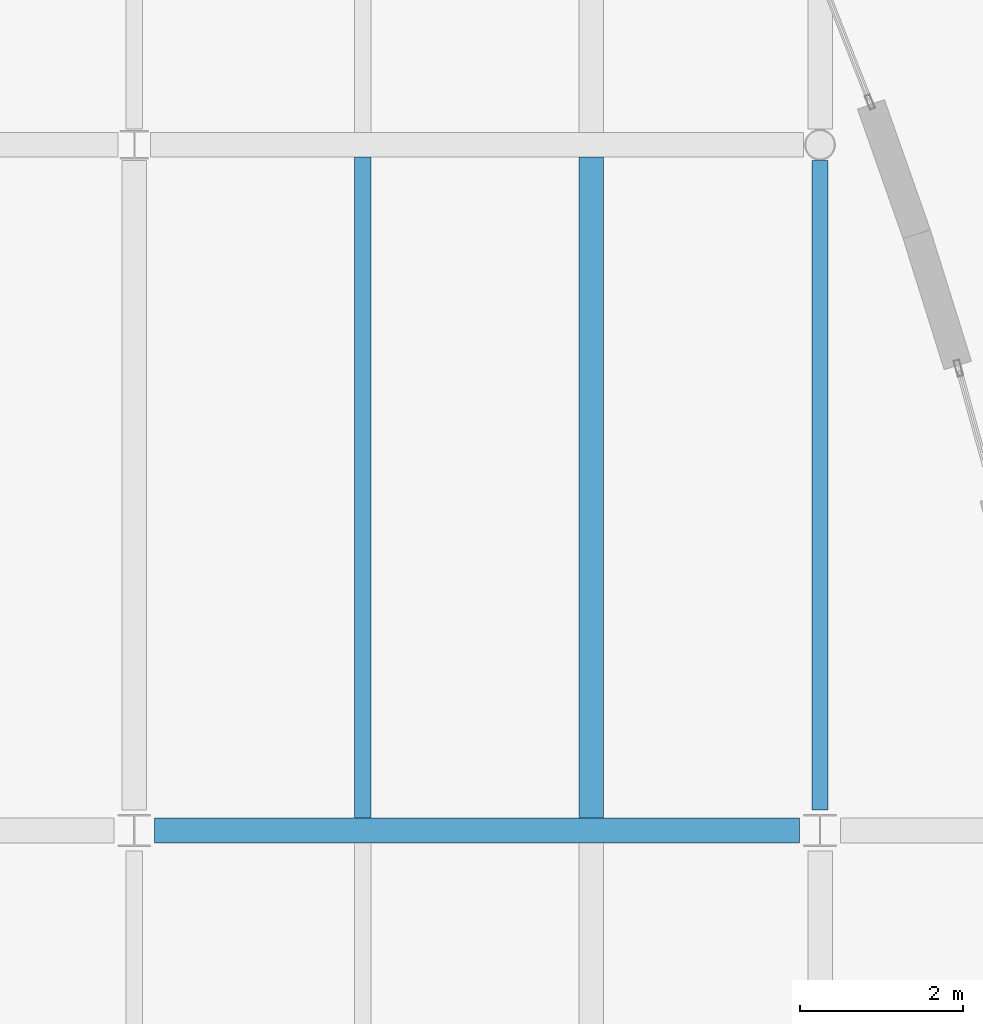
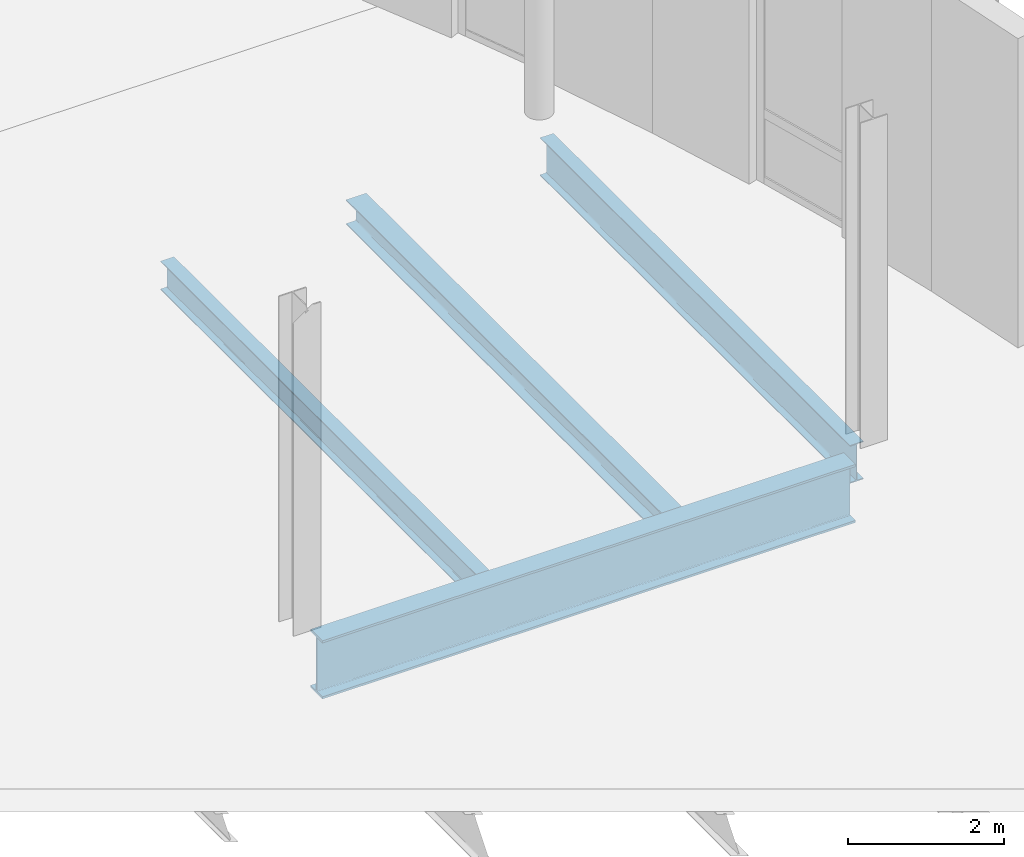
# One storey, part 47 of 103: 4 beams.
"""IFC4 building model written with IfcOpenShell, lengths in metres."""

from ifc_helpers import new_model, si_unit, direction, frame, origin, origin_2d, place, context, subcontext, project, spatial, i_section, extrude, material, material_profile, profile_set, type_object, element, save


model = new_model("IFC4")

# Units and contexts
model_context = context("Model", 3, precision=1e-05, world=origin(), true_north=direction((0.0, 1.0)))
body_context = subcontext(model_context, "Body", "Model", "MODEL_VIEW")
ifc_project = project(units=[si_unit("LENGTHUNIT", "METRE"), si_unit("AREAUNIT", "SQUARE_METRE"), si_unit("VOLUMEUNIT", "CUBIC_METRE"), si_unit("PLANEANGLEUNIT", "RADIAN"), si_unit("MASSUNIT", "GRAM", prefix="KILO"), si_unit("THERMODYNAMICTEMPERATUREUNIT", "KELVIN")], contexts=[model_context])

# Site, building, storey
site_placement = place(None, origin())
site = spatial("IfcSite", under=ifc_project, at=site_placement, CompositionType="ELEMENT")
building_placement = place(site_placement, origin())
building = spatial("IfcBuilding", under=site, at=building_placement, Name="Lustrewick Department Store", CompositionType="ELEMENT")
storey_placement = place(building_placement, frame((0.0, 0.0, 16.5)))
storey = spatial("IfcBuildingStorey", under=building, at=storey_placement, Name="L04", CompositionType="ELEMENT", Elevation=16.5)

# Beams
ifc_material_1 = material(Name="Structural steel Q355B", Category="steel")
ifc_material_profile_1 = material_profile(ifc_material_1, i_section(OverallWidth=0.199951171875, OverallDepth=0.449951171875, WebThickness=0.009033203125, FlangeThickness=0.013916015625, FilletRadius=0.01611328125, at=origin_2d()), Name="HN 450x200x9x14")
ifc_profile_set_1 = profile_set([ifc_material_profile_1], Name="Structural steel Q355B")
beam_type_1 = type_object("IfcBeamType", Name="B03", PredefinedType="JOIST", material=ifc_profile_set_1)
beam_1_placement = place(storey_placement, frame((154.0, 67.35107421875, -0.47998046875), z_axis=(0.0, 1.0, 0.0), x_axis=(-1.0, 0.0, 0.0)))
element("IfcBeam", 1, at=beam_1_placement, inside=storey, type_object=beam_type_1, Name="L04 V4 Secondary Joist B03", PredefinedType="JOIST", context=body_context, shape_type="SweptSolid", body=[
    extrude(i_section(OverallWidth=0.199951171875, OverallDepth=0.449951171875, WebThickness=0.009033203125, FlangeThickness=0.013916015625, FilletRadius=0.01611328125, at=origin_2d()), origin(), (0.0, 0.0, 1.0), 8.097900390625),
])
ifc_material_profile_2 = material_profile(ifc_material_1, i_section(OverallWidth=0.300048828125, OverallDepth=0.389892578125, WebThickness=0.010009765625, FlangeThickness=0.01611328125, FilletRadius=0.01806640625, at=origin_2d()), Name="HM 390x300x10x16")
ifc_profile_set_2 = profile_set([ifc_material_profile_2], Name="Structural steel Q355B")
beam_type_2 = type_object("IfcBeamType", Name="B07", PredefinedType="JOIST", material=ifc_profile_set_2)
beam_2_placement = place(storey_placement, frame((156.800048828125, 67.35107421875, -0.449951171875), z_axis=(0.0, 1.0, 0.0), x_axis=(-1.0, 0.0, 0.0)))
element("IfcBeam", 2, at=beam_2_placement, inside=storey, type_object=beam_type_2, Name="L04 V4 Secondary Joist B07", PredefinedType="JOIST", context=body_context, shape_type="SweptSolid", body=[
    extrude(i_section(OverallWidth=0.300048828125, OverallDepth=0.389892578125, WebThickness=0.010009765625, FlangeThickness=0.01611328125, FilletRadius=0.01806640625, at=origin_2d()), origin(), (0.0, 0.0, 1.0), 8.097900390625),
])
ifc_material_2 = material(Name="Structural steel Q355C", Category="steel")
ifc_material_profile_3 = material_profile(ifc_material_2, i_section(OverallWidth=0.302001953125, OverallDepth=0.912109375, WebThickness=0.01806640625, FlangeThickness=0.033935546875, FilletRadius=0.02392578125, at=origin_2d()), Name="HN 912x302x18x34")
ifc_profile_set_3 = profile_set([ifc_material_profile_3], Name="Structural steel Q355C")
beam_type_3 = type_object("IfcBeamType", Name="G01", PredefinedType="BEAM", material=ifc_profile_set_3)
beam_3_placement = place(storey_placement, frame((151.449951171875, 67.199951171875, -0.7109375), z_axis=(1.0, 0.0, 0.0), x_axis=(0.0, 1.0, 0.0)))
element("IfcBeam", 3, at=beam_3_placement, inside=storey, type_object=beam_type_3, Name="L04 V4 Girder G01", PredefinedType="BEAM", context=body_context, shape_type="SweptSolid", body=[
    extrude(i_section(OverallWidth=0.302001953125, OverallDepth=0.912109375, WebThickness=0.01806640625, FlangeThickness=0.033935546875, FilletRadius=0.02392578125, at=origin_2d()), origin(), (0.0, 0.0, 1.0), 7.900146484375),
])
ifc_material_profile_4 = material_profile(ifc_material_1, i_section(OverallWidth=0.198974609375, OverallDepth=0.595947265625, WebThickness=0.010009765625, FlangeThickness=0.014892578125, FilletRadius=0.01806640625, at=origin_2d()), Name="HN 596x199x10x15")
ifc_profile_set_4 = profile_set([ifc_material_profile_4], Name="Structural steel Q355B")
beam_type_4 = type_object("IfcBeamType", Name="G15", PredefinedType="BEAM", material=ifc_profile_set_4)
beam_4_placement = place(storey_placement, frame((159.60009765625, 67.449951171875, -0.552978515625), z_axis=(0.0, 1.0, 0.0), x_axis=(-1.0, 0.0, 0.0)))
element("IfcBeam", 4, at=beam_4_placement, inside=storey, type_object=beam_type_4, Name="L04 V4 Girder G15", PredefinedType="BEAM", context=body_context, shape_type="SweptSolid", body=[
    extrude(i_section(OverallWidth=0.198974609375, OverallDepth=0.595947265625, WebThickness=0.010009765625, FlangeThickness=0.014892578125, FilletRadius=0.01806640625, at=origin_2d()), origin(), (0.0, 0.0, 1.0), 7.9560546875),
])

save(model, "model.ifc")
